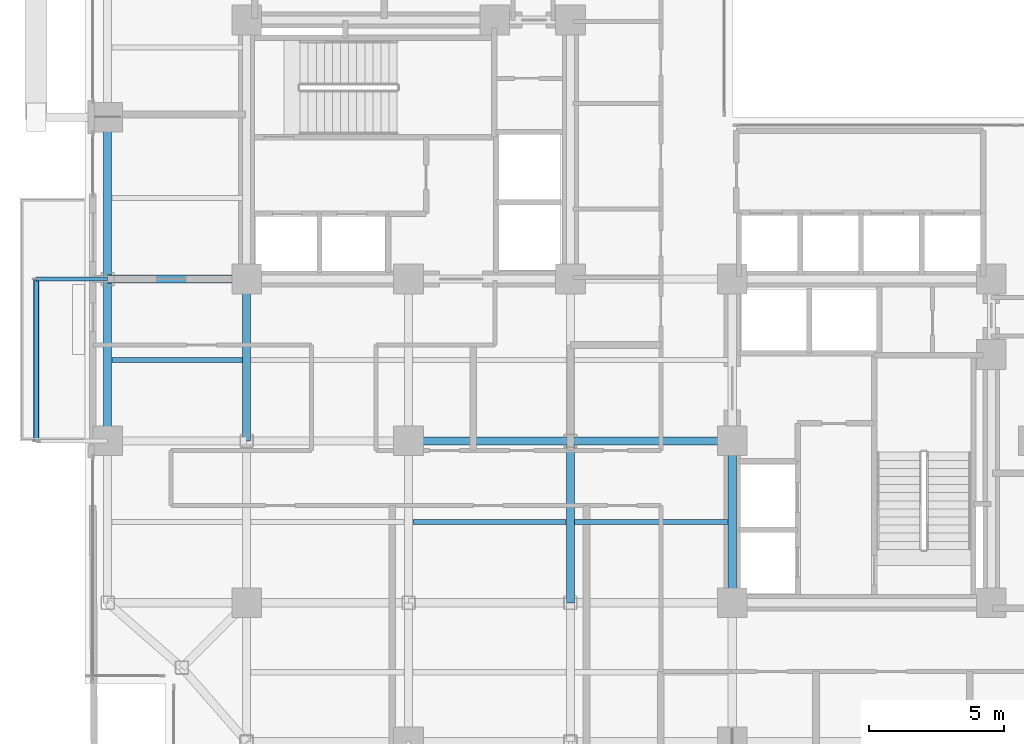
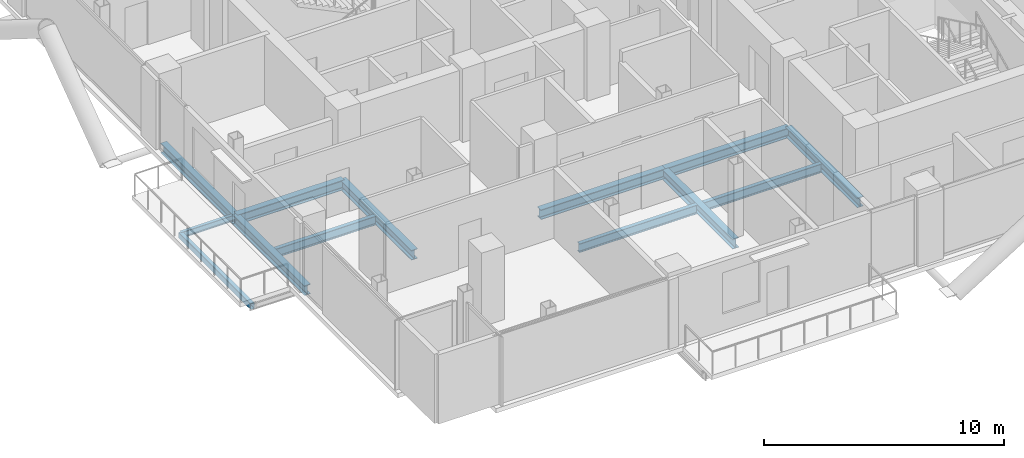
# One storey, part 5 of 24: 13 beams.
"""IFC4 building model written with IfcOpenShell, lengths in metres."""

from ifc_helpers import new_model, si_unit, direction, frame, origin, origin_2d, place, context, subcontext, project, spatial, hollow_rectangle, i_section, extrude, material, material_profile, profile_set, type_object, element, save


model = new_model("IFC4")

# Units and contexts
model_context = context("Model", 3, precision=1e-05, world=origin(), true_north=direction((0.0, 1.0)))
body_context = subcontext(model_context, "Body", "Model", "MODEL_VIEW")
ifc_project = project(units=[si_unit("LENGTHUNIT", "METRE"), si_unit("AREAUNIT", "SQUARE_METRE"), si_unit("VOLUMEUNIT", "CUBIC_METRE"), si_unit("PLANEANGLEUNIT", "RADIAN"), si_unit("MASSUNIT", "GRAM", prefix="KILO"), si_unit("THERMODYNAMICTEMPERATUREUNIT", "KELVIN"), si_unit("POWERUNIT", "WATT")], contexts=[model_context])

# Site, building, storey
site_placement = place(None, origin())
site = spatial("IfcSite", under=ifc_project, at=site_placement, CompositionType="ELEMENT")
building_placement = place(site_placement, origin())
building = spatial("IfcBuilding", under=site, at=building_placement, Name="Svarakhadi Broadcast Tower", CompositionType="ELEMENT")
storey_placement = place(building_placement, frame((0.0, 0.0, 130.64990234375)))
storey = spatial("IfcBuildingStorey", under=building, at=storey_placement, Name="L31", CompositionType="ELEMENT", Elevation=130.64990234375)

# Beams
ifc_material_1 = material(Name="Steel S355J2 (IS 2062 E350C)", Category="steel")
ifc_material_profile_1 = material_profile(ifc_material_1, i_section(OverallWidth=0.18994140625, OverallDepth=0.449951171875, WebThickness=0.009521484375, FlangeThickness=0.0146484375, FilletRadius=0.02099609375, at=origin_2d()), Name="NPB 450x190x78")
ifc_profile_set_1 = profile_set([ifc_material_profile_1], Name="Steel S355J2 (IS 2062 E350C)")
beam_type_1 = type_object("IfcBeamType", Name="Beam_NPB450", PredefinedType="BEAM", material=ifc_profile_set_1)
beam_1_placement = place(storey_placement, frame((1.010009765625, 15.0, -0.449951171875), z_axis=(1.0, 0.0, 0.0), x_axis=(0.0, 1.0, 0.0)))
element("IfcBeam", 1, at=beam_1_placement, inside=storey, type_object=beam_type_1, Name="L31 Secondary Composite Beam SB002", PredefinedType="BEAM", context=body_context, shape_type="SweptSolid", body=[
    extrude(i_section(OverallWidth=0.18994140625, OverallDepth=0.449951171875, WebThickness=0.009521484375, FlangeThickness=0.0146484375, FilletRadius=0.02099609375, at=origin_2d()), origin(), (0.0, 0.0, 1.0), 4.830078125),
])
for number, where, z_axis, x_axis, name in (
    (2, (12.159912109375, 9.0, -0.449951171875), (1.0, 0.0, 0.0), (0.0, 1.0, 0.0), "L31 Secondary Composite Beam SB012"),
    (3, (18.159912109375, 9.0, -0.449951171875), (1.0, 0.0, 0.0), (0.0, 1.0, 0.0), "L31 Secondary Composite Beam SB017"),
):
    element("IfcBeam", number, at=place(storey_placement, frame(where, z_axis=z_axis, x_axis=x_axis)), inside=storey, type_object=beam_type_1, Name=name, PredefinedType="BEAM", context=body_context, shape_type="SweptSolid", body=[
        extrude(i_section(OverallWidth=0.18994140625, OverallDepth=0.449951171875, WebThickness=0.009521484375, FlangeThickness=0.0146484375, FilletRadius=0.02099609375, at=origin_2d()), origin(), (0.0, 0.0, 1.0), 5.68017578125),
    ])
ifc_material_profile_2 = material_profile(ifc_material_1, i_section(OverallWidth=0.300048828125, OverallDepth=0.5, WebThickness=0.014404296875, FlangeThickness=0.028076171875, FilletRadius=0.027099609375, at=origin_2d()), Name="WPB 500x300x187")
ifc_profile_set_2 = profile_set([ifc_material_profile_2], Name="Steel S355J2 (IS 2062 E350C)")
beam_type_2 = type_object("IfcBeamType", Name="Girder_WPB500", PredefinedType="USERDEFINED", material=ifc_profile_set_2)
for number, where, z_axis, x_axis, name in (
    (4, (12.0, 12.0, -0.474853515625), (1.0, 0.0, 0.0), (0.0, 1.0, 0.0), "L31 Primary E-W Girder G019"),
    (5, (18.0, 12.0, -0.474853515625), (1.0, 0.0, 0.0), (0.0, 1.0, 0.0), "L31 Primary E-W Girder G020"),
):
    element("IfcBeam", number, at=place(storey_placement, frame(where, z_axis=z_axis, x_axis=x_axis)), inside=storey, type_object=beam_type_2, Name=name, ObjectType="GIRDER", PredefinedType="USERDEFINED", context=body_context, shape_type="SweptSolid", body=[
        extrude(i_section(OverallWidth=0.300048828125, OverallDepth=0.5, WebThickness=0.014404296875, FlangeThickness=0.028076171875, FilletRadius=0.027099609375, at=origin_2d()), origin(), (0.0, 0.0, 1.0), 6.0),
    ])
beam_2_placement = place(storey_placement, frame((0.85009765625, 18.0, -0.474853515625), z_axis=(1.0, 0.0, 0.0), x_axis=(0.0, 1.0, 0.0)))
element("IfcBeam", 6, at=beam_2_placement, inside=storey, type_object=beam_type_2, Name="L31 Primary E-W Girder G023", ObjectType="GIRDER", PredefinedType="USERDEFINED", context=body_context, shape_type="SweptSolid", body=[
    extrude(i_section(OverallWidth=0.300048828125, OverallDepth=0.5, WebThickness=0.014404296875, FlangeThickness=0.028076171875, FilletRadius=0.027099609375, at=origin_2d()), origin(), (0.0, 0.0, 1.0), 5.14990234375),
])
for number, where, z_axis, x_axis, name in (
    (7, (0.85009765625, 12.0, -0.474853515625), (0.0, 1.0, 0.0), (-1.0, 0.0, 0.0), "L31 Primary N-S Girder G041"),
    (8, (0.85009765625, 18.0, -0.474853515625), (0.0, 1.0, 0.0), (-1.0, 0.0, 0.0), "L31 Primary N-S Girder G042"),
    (9, (6.0, 12.0, -0.474853515625), (0.0, 1.0, 0.0), (-1.0, 0.0, 0.0), "L31 Primary N-S Girder G047"),
    (10, (18.0, 6.0, -0.474853515625), (0.0, 1.0, 0.0), (-1.0, 0.0, 0.0), "L31 Primary N-S Girder G057"),
    (11, (24.0, 6.0, -0.474853515625), (0.0, 1.0, 0.0), (-1.0, 0.0, 0.0), "L31 Primary N-S Girder G063"),
):
    element("IfcBeam", number, at=place(storey_placement, frame(where, z_axis=z_axis, x_axis=x_axis)), inside=storey, type_object=beam_type_2, Name=name, ObjectType="GIRDER", PredefinedType="USERDEFINED", context=body_context, shape_type="SweptSolid", body=[
        extrude(i_section(OverallWidth=0.300048828125, OverallDepth=0.5, WebThickness=0.014404296875, FlangeThickness=0.028076171875, FilletRadius=0.027099609375, at=origin_2d()), origin(), (0.0, 0.0, 1.0), 6.0),
    ])
ifc_material_profile_3 = material_profile(ifc_material_1, i_section(OverallWidth=0.14990234375, OverallDepth=0.300048828125, WebThickness=0.007080078125, FlangeThickness=0.0107421875, FilletRadius=0.014892578125, at=origin_2d()), Name="NPB 300x150x37")
ifc_profile_set_3 = profile_set([ifc_material_profile_3], Name="Steel S355J2 (IS 2062 E350C)")
beam_type_3 = type_object("IfcBeamType", Name="Spandrel_NPB300", PredefinedType="SPANDREL", material=ifc_profile_set_3)
beam_3_placement = place(storey_placement, frame((0.85009765625, 18.0, -0.375), z_axis=(-1.0, 0.0, 0.0), x_axis=(0.0, -1.0, 0.0)))
element("IfcBeam", 12, at=beam_3_placement, inside=storey, type_object=beam_type_3, Name="L31 Balcony Cantilever Bracket 2B", PredefinedType="SPANDREL", context=body_context, shape_type="SweptSolid", body=[
    extrude(i_section(OverallWidth=0.14990234375, OverallDepth=0.300048828125, WebThickness=0.007080078125, FlangeThickness=0.0107421875, FilletRadius=0.014892578125, at=origin_2d()), origin(), (0.0, 0.0, 1.0), 2.650146484375),
])
ifc_material_2 = material(Name="Steel S460ML (IS 2062 E450BR)", Category="steel")
ifc_material_profile_4 = material_profile(ifc_material_2, hollow_rectangle(XDim=0.199951171875, YDim=0.300048828125, WallThickness=0.012451171875, InnerFilletRadius=0.012451171875, OuterFilletRadius=0.02490234375, at=origin_2d()), Name="RHS 300x200x12.5")
ifc_profile_set_4 = profile_set([ifc_material_profile_4], Name="Steel S460ML (IS 2062 E450BR)")
beam_type_4 = type_object("IfcBeamType", Name="Spandrel_RHS300", PredefinedType="SPANDREL", material=ifc_profile_set_4)
beam_4_placement = place(storey_placement, frame((-1.800048828125, 12.0, -0.375), z_axis=(0.0, 1.0, 0.0), x_axis=(-1.0, 0.0, 0.0)))
element("IfcBeam", 13, at=beam_4_placement, inside=storey, type_object=beam_type_4, Name="L31 Balcony Outer Spandrel 2F", PredefinedType="SPANDREL", context=body_context, shape_type="SweptSolid", body=[
    extrude(hollow_rectangle(XDim=0.199951171875, YDim=0.300048828125, WallThickness=0.012451171875, InnerFilletRadius=0.012451171875, OuterFilletRadius=0.02490234375, at=origin_2d()), origin(), (0.0, 0.0, 1.0), 6.0),
])

save(model, "model.ifc")
